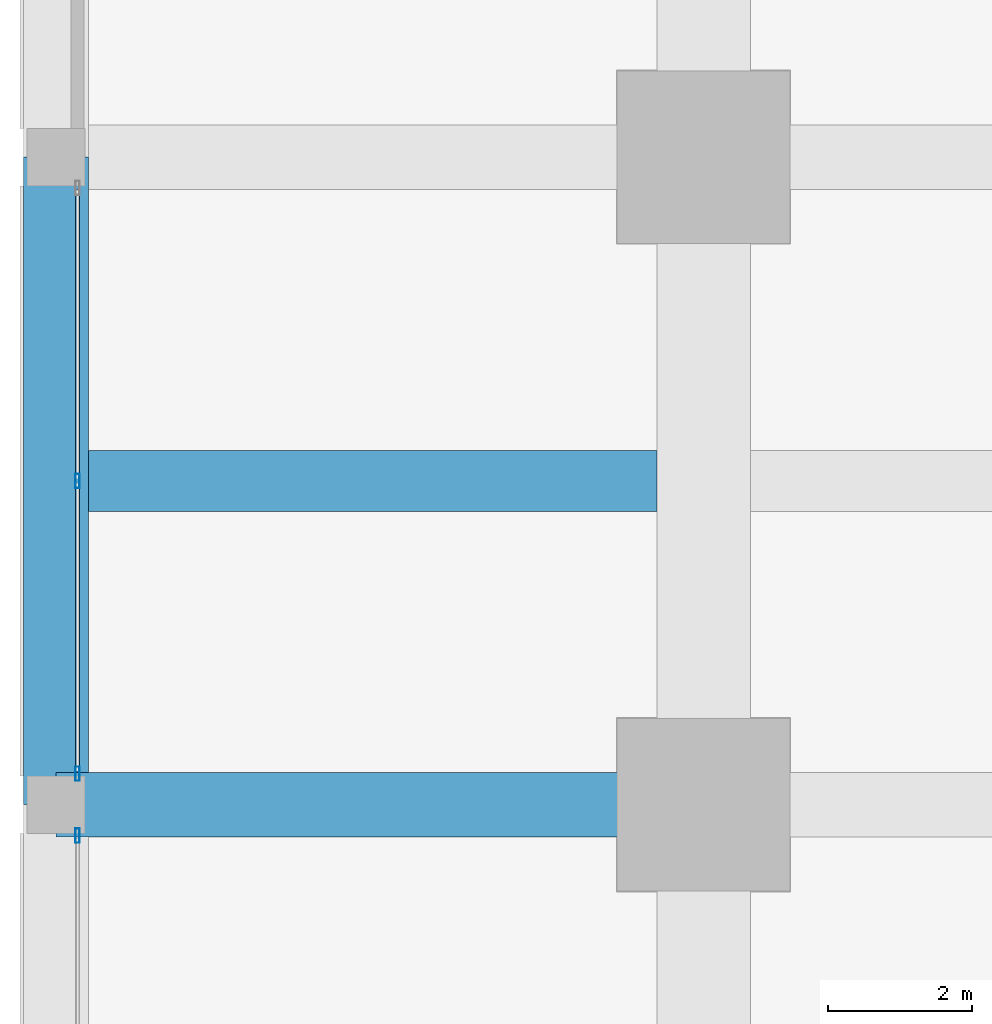
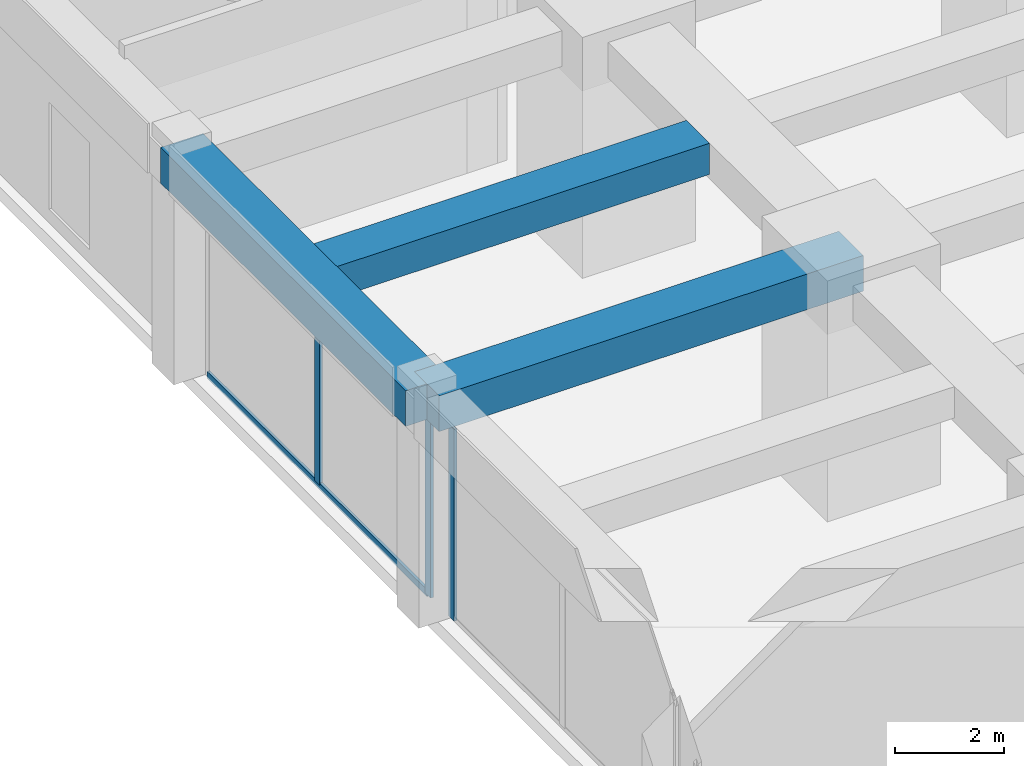
# One storey, part 11 of 45: 4 members, 3 beams, 2 elements without a shape of their own.
"""IFC4 building model written with IfcOpenShell, lengths in metres."""

from ifc_helpers import new_model, si_unit, direction, frame, origin, origin_2d, place, context, subcontext, project, spatial, rectangle, hollow_rectangle, extrude, material, material_profile, profile_set, type_object, element, aggregate, save


model = new_model("IFC4")

# Units and contexts
model_context = context("Model", 3, precision=1e-05, world=origin(), true_north=direction((0.0, 1.0)))
body_context = subcontext(model_context, "Body", "Model", "MODEL_VIEW")
ifc_project = project(units=[si_unit("LENGTHUNIT", "METRE"), si_unit("AREAUNIT", "SQUARE_METRE"), si_unit("VOLUMEUNIT", "CUBIC_METRE"), si_unit("PLANEANGLEUNIT", "RADIAN"), si_unit("MASSUNIT", "GRAM", prefix="KILO")], contexts=[model_context])

# Site, building, storey
site_placement = place(None, origin())
site = spatial("IfcSite", under=ifc_project, at=site_placement, CompositionType="ELEMENT")
building_placement = place(site_placement, origin())
building = spatial("IfcBuilding", under=site, at=building_placement, Name="Zorevar Civic Tower", CompositionType="ELEMENT")
storey_placement = place(building_placement, frame((0.0, 0.0, 5.39990234375)))
storey = spatial("IfcBuildingStorey", under=building, at=storey_placement, Name="L01", CompositionType="ELEMENT", Elevation=5.39990234375)

# Beams
ifc_material_1 = material(Name="Concrete C50/60", Category="concrete")
ifc_material_profile_1 = material_profile(ifc_material_1, rectangle(XDim=0.85009765625, YDim=0.699951171875, at=origin_2d()), Name="RC 850x700")
ifc_profile_set_1 = profile_set([ifc_material_profile_1], Name="Concrete C50/60")
beam_type_1 = type_object("IfcBeamType", Name="Beam RC 850x700", PredefinedType="BEAM", material=ifc_profile_set_1)
beam_1_placement = place(storey_placement, frame((-8.550048828125, 31.5, 4.75), z_axis=(1.0, 0.0, 0.0), x_axis=(0.0, 1.0, 0.0)))
element("IfcBeam", 1, at=beam_1_placement, inside=storey, type_object=beam_type_1, Name="Secondary beam L02", PredefinedType="BEAM", context=body_context, shape_type="SweptSolid", body=[
    extrude(rectangle(XDim=0.85009765625, YDim=0.699951171875, at=origin_2d()), origin(), (0.0, 0.0, 1.0), 7.900146484375),
])
ifc_material_2 = material(Name="Concrete C50/60", Category="concrete")
ifc_material_profile_2 = material_profile(ifc_material_2, rectangle(XDim=0.89990234375, YDim=0.800048828125, at=origin_2d()), Name="RC 900x800")
ifc_profile_set_2 = profile_set([ifc_material_profile_2], Name="Concrete C50/60")
beam_type_2 = type_object("IfcBeamType", Name="Beam RC 900x800", PredefinedType="BEAM", material=ifc_profile_set_2)
beam_2_placement = place(storey_placement, frame((-9.0, 27.0, 4.7001953125), z_axis=(1.0, 0.0, 0.0), x_axis=(0.0, 1.0, 0.0)))
element("IfcBeam", 2, at=beam_2_placement, inside=storey, type_object=beam_type_2, Name="Girder L02", PredefinedType="BEAM", context=body_context, shape_type="SweptSolid", body=[
    extrude(rectangle(XDim=0.89990234375, YDim=0.800048828125, at=origin_2d()), origin(), (0.0, 0.0, 1.0), 9.0),
])

# Curtain wall, member
ifc_material_3 = material(Name="Dark grey solar-control glass in black aluminium frame", Category="aluminium")
curtain_wall_type = type_object("IfcCurtainWallType", Name="Curtain wall CW1 podium", PredefinedType="NOTDEFINED", material=ifc_material_3)
curtain_wall_1_placement = place(storey_placement, origin())
curtain_wall_1 = element("IfcCurtainWall", 3, at=curtain_wall_1_placement, inside=storey, type_object=curtain_wall_type, Name="CW1 L01", PredefinedType="NOTDEFINED")
ifc_material_4 = material(Name="Aluminium, black anodised", Category="aluminium")
ifc_material_profile_3 = material_profile(ifc_material_4, hollow_rectangle(XDim=0.06005859375, YDim=0.199951171875, WallThickness=0.00390625, at=origin_2d()), Name="AL 200x60x4")
ifc_profile_set_3 = profile_set([ifc_material_profile_3], Name="Aluminium, black anodised")
member_type_1 = type_object("IfcMemberType", Name="CW1 mullion AL 200x60x4", PredefinedType="MULLION", material=ifc_profile_set_3)
member_1_placement = place(storey_placement, frame((-8.699951171875, 26.570068359375, 0.0), z_axis=(0.0, 0.0, 1.0), x_axis=(-1.0, 0.0, 0.0)))
member_1 = element("IfcMember", 4, at=member_1_placement, type_object=member_type_1, Name="CW1 mullion 3", PredefinedType="MULLION", context=body_context, shape_type="SweptSolid", body=[
    extrude(hollow_rectangle(XDim=0.06005859375, YDim=0.199951171875, WallThickness=0.00390625, at=origin_2d()), origin(), (0.0, 0.0, 1.0), 4.300048828125),
])
aggregate(curtain_wall_1, [member_1])

# Curtain wall, members
curtain_wall_2_placement = place(storey_placement, origin())
curtain_wall_2 = element("IfcCurtainWall", 5, at=curtain_wall_2_placement, inside=storey, type_object=curtain_wall_type, Name="CW1 L01", PredefinedType="NOTDEFINED")
member_2_placement = place(storey_placement, frame((-8.699951171875, 27.429931640625, 0.0), z_axis=(0.0, 0.0, 1.0), x_axis=(-1.0, 0.0, 0.0)))
member_2 = element("IfcMember", 6, at=member_2_placement, type_object=member_type_1, Name="CW1 mullion 1", PredefinedType="MULLION", context=body_context, shape_type="SweptSolid", body=[
    extrude(hollow_rectangle(XDim=0.06005859375, YDim=0.199951171875, WallThickness=0.00390625, at=origin_2d()), origin(), (0.0, 0.0, 1.0), 4.300048828125),
])
member_3_placement = place(storey_placement, frame((-8.699951171875, 31.5, 0.06005859375), z_axis=(0.0, 0.0, 1.0), x_axis=(-1.0, 0.0, 0.0)))
member_3 = element("IfcMember", 7, at=member_3_placement, type_object=member_type_1, Name="CW1 mullion 2", PredefinedType="MULLION", context=body_context, shape_type="SweptSolid", body=[
    extrude(hollow_rectangle(XDim=0.06005859375, YDim=0.199951171875, WallThickness=0.00390625, at=origin_2d()), origin(), (0.0, 0.0, 1.0), 4.239990234375),
])
ifc_material_5 = material(Name="Aluminium, black anodised", Category="aluminium")
ifc_material_profile_4 = material_profile(ifc_material_5, hollow_rectangle(XDim=0.06005859375, YDim=0.14990234375, WallThickness=0.00390625, at=origin_2d()), Name="AL 150x60x4")
ifc_profile_set_4 = profile_set([ifc_material_profile_4], Name="Aluminium, black anodised")
member_type_2 = type_object("IfcMemberType", Name="CW1 transom AL 150x60x4", PredefinedType="USERDEFINED", material=ifc_profile_set_4)
member_4_placement = place(storey_placement, frame((-8.699951171875, 27.4599609375, 0.030029296875), z_axis=(0.0, 1.0, 0.0), x_axis=(-1.0, 0.0, 0.0)))
member_4 = element("IfcMember", 8, at=member_4_placement, type_object=member_type_2, Name="CW1 sill transom", ObjectType="TRANSOM", PredefinedType="USERDEFINED", context=body_context, shape_type="SweptSolid", body=[
    extrude(hollow_rectangle(XDim=0.06005859375, YDim=0.14990234375, WallThickness=0.00390625, at=origin_2d()), origin(), (0.0, 0.0, 1.0), 8.080078125),
])
aggregate(curtain_wall_2, [member_2, member_3, member_4])

# Beam
ifc_material_6 = material(Name="Concrete C50/60", Category="concrete")
ifc_material_profile_5 = material_profile(ifc_material_6, rectangle(XDim=0.89990234375, YDim=0.800048828125, at=origin_2d()), Name="RC 900x800")
ifc_profile_set_5 = profile_set([ifc_material_profile_5], Name="Concrete C50/60")
beam_type_3 = type_object("IfcBeamType", Name="Edge beam RC 900x800", PredefinedType="SPANDREL", material=ifc_profile_set_5)
beam_3_placement = place(storey_placement, frame((-9.0, 27.0, 4.7001953125), z_axis=(0.0, 1.0, 0.0), x_axis=(-1.0, 0.0, 0.0)))
element("IfcBeam", 9, at=beam_3_placement, inside=storey, type_object=beam_type_3, Name="Edge beam L02", PredefinedType="SPANDREL", context=body_context, shape_type="SweptSolid", body=[
    extrude(rectangle(XDim=0.89990234375, YDim=0.800048828125, at=origin_2d()), origin(), (0.0, 0.0, 1.0), 9.0),
])

save(model, "model.ifc")
